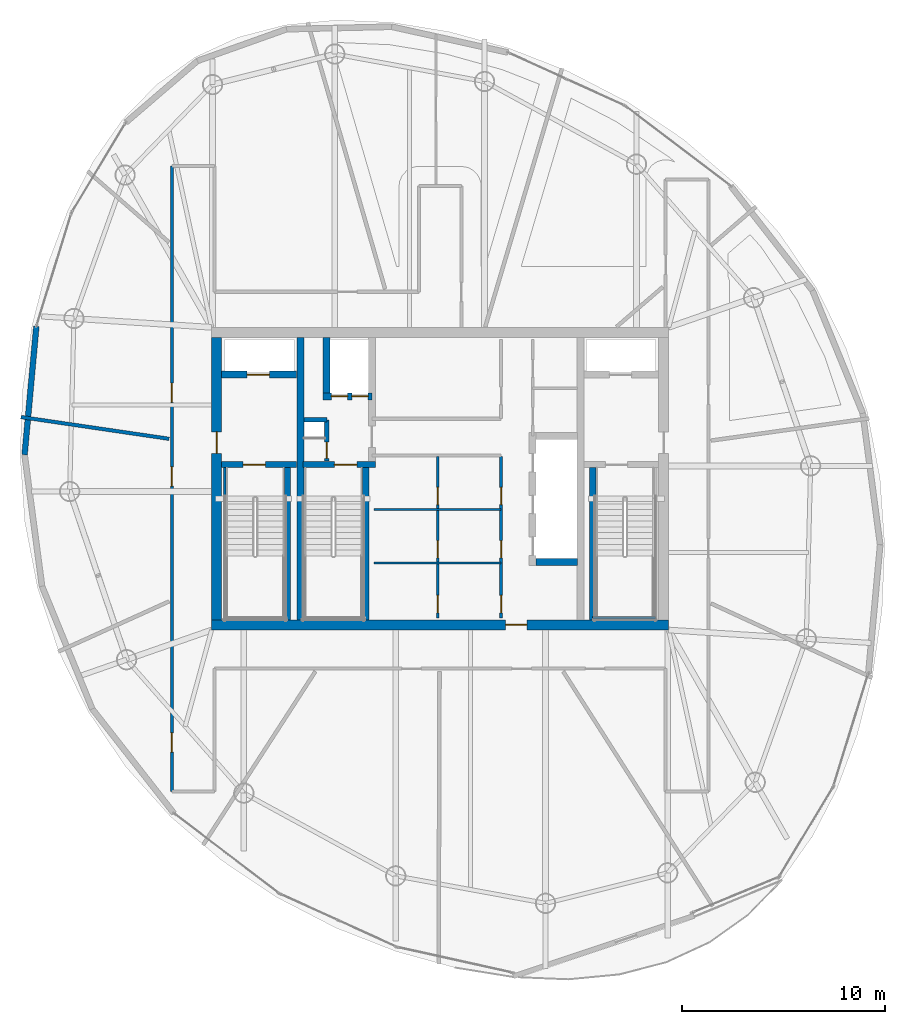
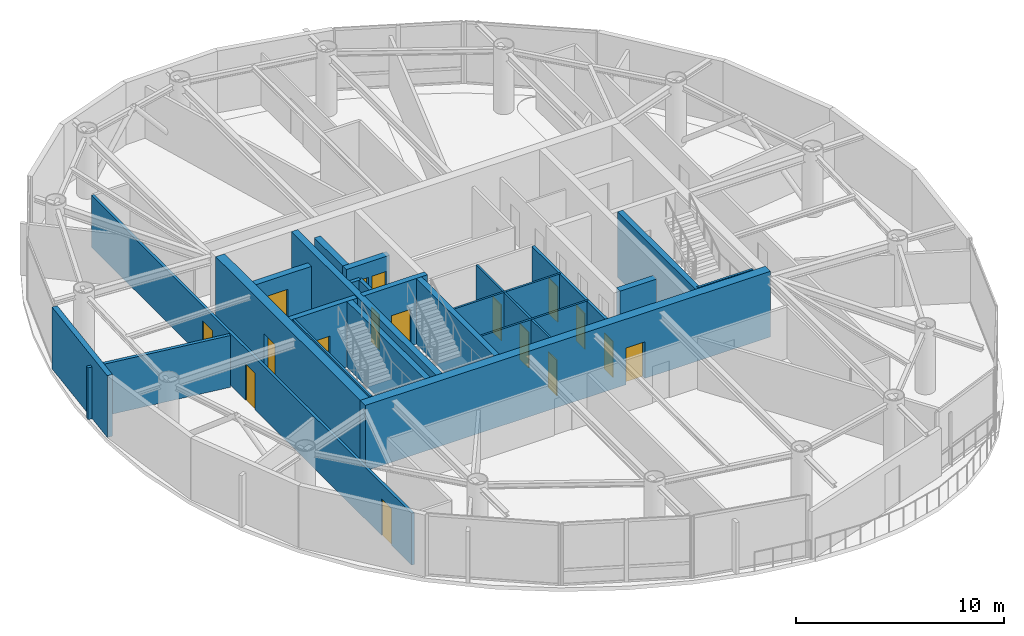
# One storey, part 14 of 19: 23 walls, 17 doors, 17 openings.
"""IFC4 building model written with IfcOpenShell, lengths in metres."""

import ifcopenshell
import ifcopenshell.guid

model = None  # the IFC model being written
_history = None  # IfcOwnerHistory: only IFC2X3 demands one
_inside = {}  # id of a spatial element -> (the spatial element, [elements in it])
_under = {}  # id of a project, library or spatial element -> (it, [spatial elements below it])
_declared = {}  # id of a project -> (the project, [libraries it declares])
_typed = {}  # id of a type object -> (the type object, [elements of that type])
_made_of = {}  # id of a material, layer set ... -> (it, [elements and type objects made of it])


def new_model(schema):
    """Start an empty IFC model of exactly this schema.

    Asked for "IFC4X3", IfcOpenShell would pick the latest addendum, in which some entities
    have other attributes; the version numbers below select the first issue.
    IFC2X3 requires an IfcOwnerHistory on every rooted entity: one is made here for all.
    """
    global model, _history
    if schema == "IFC4X3":
        model = ifcopenshell.file(schema_version=(4, 3, 0, 0))
    else:
        model = ifcopenshell.file(schema=schema)
    _inside.clear()
    _under.clear()
    _declared.clear()
    _typed.clear()
    _made_of.clear()
    _history = None
    if model.schema == "IFC2X3":
        org = make("IfcOrganization", Name="unknown")
        user = make(
            "IfcPersonAndOrganization",
            ThePerson=make("IfcPerson", FamilyName="unknown"),
            TheOrganization=org,
        )
        app = make(
            "IfcApplication",
            ApplicationDeveloper=org,
            Version="unknown",
            ApplicationFullName="unknown",
            ApplicationIdentifier="unknown",
        )
        _history = make(
            "IfcOwnerHistory",
            OwningUser=user,
            OwningApplication=app,
            ChangeAction="ADDED",
            CreationDate=0,
        )
    return model


def make(cls, **values):
    """One entity of the class cls with the attributes given. An attribute that is None is left unset."""
    return model.create_entity(
        cls, **{name: value for name, value in values.items() if value is not None}
    )


def rooted(cls, **values):
    """An entity with a GlobalId (a new one), such as an element, a storey or a relation."""
    return make(cls, GlobalId=ifcopenshell.guid.new(), OwnerHistory=_history, **values)


def si_unit(unit_type, name, prefix=None):
    """IfcSIUnit, for example si_unit("LENGTHUNIT", "METRE", prefix="MILLI")."""
    return make("IfcSIUnit", UnitType=unit_type, Prefix=prefix, Name=name)


def assignment(units):
    """IfcUnitAssignment: the units of a project."""
    return None if units is None else make("IfcUnitAssignment", Units=units)


def point(xyz):
    """IfcCartesianPoint."""
    return None if xyz is None else make("IfcCartesianPoint", Coordinates=xyz)


def direction(xyz):
    """IfcDirection."""
    return None if xyz is None else make("IfcDirection", DirectionRatios=xyz)


def frame(location, z_axis=None, x_axis=None):
    """IfcAxis2Placement3D, a coordinate frame: its origin and axes. An axis left out is left unset."""
    return make(
        "IfcAxis2Placement3D",
        Location=point(location),
        Axis=direction(z_axis),
        RefDirection=direction(x_axis),
    )


def frame_2d(location, x_axis=None):
    """IfcAxis2Placement2D, a coordinate frame in the plane: its origin and x axis."""
    return make(
        "IfcAxis2Placement2D", Location=point(location), RefDirection=direction(x_axis)
    )


def origin():
    """The frame at (0, 0, 0) with its axes left unset."""
    return frame((0.0, 0.0, 0.0))


def place(relative_to, where):
    """IfcLocalPlacement: puts the frame where relative to a parent placement (None: the world)."""
    return make(
        "IfcLocalPlacement", PlacementRelTo=relative_to, RelativePlacement=where
    )


def context(
    kind, dimensions, precision=None, world=None, true_north=None, identifier=None
):
    """IfcGeometricRepresentationContext, for example the 3D "Model" context."""
    return make(
        "IfcGeometricRepresentationContext",
        ContextIdentifier=identifier,
        ContextType=kind,
        CoordinateSpaceDimension=dimensions,
        Precision=precision,
        WorldCoordinateSystem=world,
        TrueNorth=true_north,
    )


def subcontext(parent, identifier, kind, view, scale=None):
    """IfcGeometricRepresentationSubContext, for example "Body" below "Model"."""
    return make(
        "IfcGeometricRepresentationSubContext",
        ContextIdentifier=identifier,
        ContextType=kind,
        ParentContext=parent,
        TargetScale=scale,
        TargetView=view,
    )


def project(units=None, contexts=None):
    """IfcProject with its units and contexts."""
    return rooted(
        "IfcProject",
        Name="project",
        RepresentationContexts=contexts,
        UnitsInContext=assignment(units),
    )


def spatial(cls, under=None, at=None, **own):
    """A site, building, storey or space (cls), placed at a placement, below another one or the project."""
    s = rooted(cls, ObjectPlacement=at, **own)
    if under is not None:
        _under.setdefault(under.id(), (under, []))[1].append(s)
    return s


def profile(cls, at=None, kind="AREA", **sizes):
    """A parametric profile (cls). Its sizes go by their IFC names, for example OverallWidth=200.0."""
    return make(cls, ProfileType=kind, Position=at, **sizes)


def rectangle(**sizes):
    """IfcRectangleProfileDef."""
    return profile("IfcRectangleProfileDef", **sizes)


def extrude(swept, where, along, depth):
    """IfcExtrudedAreaSolid: the profile swept, set in the frame where, extruded along a direction by depth."""
    return make(
        "IfcExtrudedAreaSolid",
        SweptArea=swept,
        Position=where,
        ExtrudedDirection=direction(along),
        Depth=depth,
    )


def shape(context_of_items, identifier, shape_type, items):
    """IfcShapeRepresentation: the items that make up one representation, for example the "Body"."""
    return make(
        "IfcShapeRepresentation",
        ContextOfItems=context_of_items,
        RepresentationIdentifier=identifier,
        RepresentationType=shape_type,
        Items=items,
    )


def material(Name=None, Category=None):
    """IfcMaterial."""
    return make("IfcMaterial", Name=Name, Category=Category)


def layer(
    of_material, thickness, ventilated=None, Name=None, Category=None, Priority=None
):
    """IfcMaterialLayer: one layer of a wall or slab, of a material (None: an air gap)."""
    return make(
        "IfcMaterialLayer",
        Material=of_material,
        LayerThickness=thickness,
        IsVentilated=ventilated,
        Name=Name,
        Category=Category,
        Priority=Priority,
    )


def layer_set(layers, Name=None):
    """IfcMaterialLayerSet."""
    return make("IfcMaterialLayerSet", MaterialLayers=layers, LayerSetName=Name)


def made_of(thing, what):
    """Note that an element or type object is made of a material, layer set ...; save() writes the relation."""
    if what is not None:
        _made_of.setdefault(what.id(), (what, []))[1].append(thing)
    return thing


def type_object(cls, material=None, **own):
    """A type object (cls), such as IfcWallType, which elements share."""
    return made_of(rooted(cls, **own), material)


def element(
    cls,
    number,
    at=None,
    inside=None,
    cuts=None,
    type_object=None,
    material=None,
    context=None,
    identifier="Body",
    shape_type=None,
    held_by="IfcProductDefinitionShape",
    body=None,
    shapes=None,
    **own,
):
    """One element of the class cls, such as IfcWall. Its Tag is "e" and its number.

    at: its placement. inside: the storey or other place that contains it. cuts: it is an
    opening in that element (IfcRelVoidsElement). A single representation is given by context,
    identifier, shape_type and body (its items); several are given by shapes. held_by: the class
    of the entity that holds the representations. save() writes the other relations.
    """
    e = rooted(cls, Tag="e%d" % number, ObjectPlacement=at, **own)
    if body is not None:
        shapes = [shape(context, identifier, shape_type, body)]
    if shapes is not None:
        e.Representation = make(held_by, Representations=shapes)
    if inside is not None:
        _inside.setdefault(inside.id(), (inside, []))[1].append(e)
    if cuts is not None:
        rooted(
            "IfcRelVoidsElement", RelatingBuildingElement=cuts, RelatedOpeningElement=e
        )
    if type_object is not None:
        _typed.setdefault(type_object.id(), (type_object, []))[1].append(e)
    return made_of(e, material)


def fill(opening, filler):
    """IfcRelFillsElement: the door or window that sits in an opening."""
    return rooted(
        "IfcRelFillsElement",
        RelatingOpeningElement=opening,
        RelatedBuildingElement=filler,
    )


def aggregate(whole, parts):
    """IfcRelAggregates: a whole, such as a stair, and the parts it consists of."""
    return rooted("IfcRelAggregates", RelatingObject=whole, RelatedObjects=parts)


def save(model, path):
    """Write the relations noted so far, then the file.

    IfcRelAggregates (storeys below a building ...), IfcRelContainedInSpatialStructure (elements
    in a storey), IfcRelDefinesByType, IfcRelAssociatesMaterial and IfcRelDeclares: one each for
    every whole, place, type object, material and project.
    """
    for whole, parts in _under.values():
        aggregate(whole, parts)
    for where, things in _inside.values():
        rooted(
            "IfcRelContainedInSpatialStructure",
            RelatedElements=things,
            RelatingStructure=where,
        )
    for kind, things in _typed.values():
        rooted("IfcRelDefinesByType", RelatedObjects=things, RelatingType=kind)
    for what, things in _made_of.values():
        rooted("IfcRelAssociatesMaterial", RelatedObjects=things, RelatingMaterial=what)
    for by, libraries in _declared.values():
        rooted("IfcRelDeclares", RelatingContext=by, RelatedDefinitions=libraries)
    model.write(path)


model = new_model("IFC4")

# Units and contexts
model_context = context("Model", 3, precision=1e-05, world=origin(), true_north=direction((0.0, 1.0)))
body_context = subcontext(model_context, "Body", "Model", "MODEL_VIEW")
ifc_project = project(units=[si_unit("LENGTHUNIT", "METRE"), si_unit("AREAUNIT", "SQUARE_METRE"), si_unit("VOLUMEUNIT", "CUBIC_METRE"), si_unit("PLANEANGLEUNIT", "RADIAN"), si_unit("MASSUNIT", "GRAM", prefix="KILO")], contexts=[model_context])

# Site, building, storey
site_placement = place(None, origin())
site = spatial("IfcSite", under=ifc_project, at=site_placement, CompositionType="ELEMENT")
building_placement = place(site_placement, origin())
building = spatial("IfcBuilding", under=site, at=building_placement, Name="Bramvorn Convention Spire", CompositionType="ELEMENT")
storey_placement = place(building_placement, frame((0.0, 0.0, 272.85009765625)))
storey = spatial("IfcBuildingStorey", under=building, at=storey_placement, Name="L69", CompositionType="ELEMENT", Elevation=272.85009765625)

# Wall, opening, door
ifc_material_1 = material(Name="Concrete C50/60", Category="concrete")
ifc_layer_1 = layer(ifc_material_1, 0.5)
ifc_layer_set_1 = layer_set([ifc_layer_1], Name="Concrete C50/60 - WL-CORE-500")
wall_type_1 = type_object("IfcWallType", Name="WL-CORE-500", PredefinedType="SHEAR", material=ifc_layer_set_1)
wall_1_placement = place(storey_placement, frame((26.75, 18.800048828125, 0.0), z_axis=(0.0, 0.0, 1.0), x_axis=(1.0, 0.0, 0.0)))
wall_1 = element("IfcWall", 1, at=wall_1_placement, inside=storey, type_object=wall_type_1, Name="L69 South RC core shear wall", PredefinedType="SHEAR", context=body_context, shape_type="SweptSolid", body=[
    extrude(rectangle(XDim=22.5, YDim=0.5, at=frame_2d((11.25, 0.0))), origin(), (0.0, 0.0, 1.0), 3.849853515625),
])
opening_1_placement = place(wall_1_placement, frame((14.469970703125, 0.0, 0.0)))
opening_1 = element("IfcOpeningElement", 2, at=opening_1_placement, cuts=wall_1, Name="Opening DL-105", PredefinedType="OPENING", context=body_context, shape_type="SweptSolid", body=[
    extrude(rectangle(XDim=1.050048828125, YDim=2.14990234375, at=frame_2d((0.52490234375, 1.074951171875))), frame((0.0, 0.260009765625, 0.0), z_axis=(0.0, -1.0, 0.0), x_axis=(1.0, 0.0, 0.0)), (0.0, 0.0, 1.0), 0.52001953125),
])
ifc_material_2 = material(Name="Smoke-Sealed Fire Lobby Timber-Core Door", Category="wood")
door_type_1 = type_object("IfcDoorType", Name="DR-LOBBY-1050", OperationType="NOTDEFINED", PredefinedType="DOOR", material=ifc_material_2)
door_1_placement = place(opening_1_placement, origin())
door_1 = element("IfcDoor", 3, at=door_1_placement, inside=storey, type_object=door_type_1, Name="L69 South Lift Lobby fire door", OperationType="SINGLE_SWING_RIGHT", OverallHeight=2.14990234375, OverallWidth=1.050048828125, PredefinedType="DOOR", context=body_context, shape_type="SweptSolid", body=[
    extrude(rectangle(XDim=1.050048828125, YDim=2.14990234375, at=frame_2d((0.52490234375, 1.074951171875))), frame((0.0, 0.02490234375, 0.0), z_axis=(0.0, -1.0, 0.0), x_axis=(1.0, 0.0, 0.0)), (0.0, 0.0, 1.0), 0.050048828125),
])
fill(opening_1, door_1)

wall_2_placement = place(storey_placement, frame((27.0, 19.050048828125, 0.0), z_axis=(0.0, 0.0, 1.0), x_axis=(0.0, 1.0, 0.0)))
wall_2 = element("IfcWall", 4, at=wall_2_placement, inside=storey, type_object=wall_type_1, Name="L69 West RC core shear wall", PredefinedType="SHEAR", context=body_context, shape_type="SweptSolid", body=[
    extrude(rectangle(XDim=13.89990234375, YDim=0.5, at=frame_2d((6.949951171875, 0.0))), origin(), (0.0, 0.0, 1.0), 3.849853515625),
])
opening_2_placement = place(wall_2_placement, frame((8.199951171875, 0.0, 0.0)))
opening_2 = element("IfcOpeningElement", 5, at=opening_2_placement, cuts=wall_2, Name="Opening DL-105", PredefinedType="OPENING", context=body_context, shape_type="SweptSolid", body=[
    extrude(rectangle(XDim=1.050048828125, YDim=2.14990234375, at=frame_2d((0.52490234375, 1.074951171875))), frame((0.0, 0.260009765625, 0.0), z_axis=(0.0, -1.0, 0.0), x_axis=(1.0, 0.0, 0.0)), (0.0, 0.0, 1.0), 0.52001953125),
])
door_2_placement = place(opening_2_placement, origin())
door_2 = element("IfcDoor", 6, at=door_2_placement, inside=storey, type_object=door_type_1, Name="L69 West Firefighting Lobby corridor door", OperationType="SINGLE_SWING_RIGHT", OverallHeight=2.14990234375, OverallWidth=1.050048828125, PredefinedType="DOOR", context=body_context, shape_type="SweptSolid", body=[
    extrude(rectangle(XDim=1.050048828125, YDim=2.14990234375, at=frame_2d((0.52490234375, 1.074951171875))), frame((0.0, 0.02490234375, 0.0), z_axis=(0.0, -1.0, 0.0), x_axis=(1.0, 0.0, 0.0)), (0.0, 0.0, 1.0), 0.050048828125),
])
fill(opening_2, door_2)

# Wall
ifc_layer_2 = layer(ifc_material_1, 0.35009765625)
ifc_layer_set_2 = layer_set([ifc_layer_2], Name="Concrete C50/60 - WL-CORE-INT-350")
wall_type_2 = type_object("IfcWallType", Name="WL-CORE-INT-350", PredefinedType="SHEAR", material=ifc_layer_set_2)
wall_3_placement = place(storey_placement, frame((31.1298828125, 19.050048828125, 0.0), z_axis=(0.0, 0.0, 1.0), x_axis=(0.0, 1.0, 0.0)))
element("IfcWall", 7, at=wall_3_placement, inside=storey, type_object=wall_type_2, Name="L69 West internal core shear web", PredefinedType="SHEAR", context=body_context, shape_type="SweptSolid", body=[
    extrude(rectangle(XDim=13.89990234375, YDim=0.35009765625, at=frame_2d((6.949951171875, 0.0))), origin(), (0.0, 0.0, 1.0), 3.849853515625),
])

# Wall, opening, door
wall_4_placement = place(storey_placement, frame((27.25, 31.1201171875, 0.0), z_axis=(0.0, 0.0, 1.0), x_axis=(1.0, 0.0, 0.0)))
wall_4 = element("IfcWall", 8, at=wall_4_placement, inside=storey, type_object=wall_type_2, Name="L69 FE1 shaft front wall", PredefinedType="SHEAR", context=body_context, shape_type="SweptSolid", body=[
    extrude(rectangle(XDim=3.669921875, YDim=0.35009765625, at=frame_2d((1.8349609375, 0.0))), origin(), (0.0, 0.0, 1.0), 3.039794921875),
])
opening_3_placement = place(wall_4_placement, frame((1.25, 0.0, 0.0)))
opening_3 = element("IfcOpeningElement", 9, at=opening_3_placement, cuts=wall_4, Name="Opening LD-110", PredefinedType="OPENING", context=body_context, shape_type="SweptSolid", body=[
    extrude(rectangle(XDim=1.10009765625, YDim=2.14990234375, at=frame_2d((0.550048828125, 1.074951171875))), frame((0.0, 0.18505859375, 0.0), z_axis=(0.0, -1.0, 0.0), x_axis=(1.0, 0.0, 0.0)), (0.0, 0.0, 1.0), 0.3701171875),
])
ifc_material_3 = material(Name="Firefighting & Service Lift Sliding Landing Door", Category="steel")
door_type_2 = type_object("IfcDoorType", Name="DR-LIFT-LD-1100", OperationType="NOTDEFINED", PredefinedType="DOOR", material=ifc_material_3)
door_3_placement = place(opening_3_placement, origin())
door_3 = element("IfcDoor", 10, at=door_3_placement, inside=storey, type_object=door_type_2, Name="L69 Lift FE1 Sliding Landing Door", OperationType="SLIDING_TO_LEFT", OverallHeight=2.14990234375, OverallWidth=1.10009765625, PredefinedType="DOOR", context=body_context, shape_type="SweptSolid", body=[
    extrude(rectangle(XDim=1.10009765625, YDim=2.14990234375, at=frame_2d((0.550048828125, 1.074951171875))), frame((0.0, 0.02490234375, 0.0), z_axis=(0.0, -1.0, 0.0), x_axis=(1.0, 0.0, 0.0)), (0.0, 0.0, 1.0), 0.050048828125),
])
fill(opening_3, door_3)

# Wall, openings, doors
wall_5_placement = place(storey_placement, frame((32.22998046875, 30.050048828125, 0.0), z_axis=(0.0, 0.0, 1.0), x_axis=(1.0, 0.0, 0.0)))
wall_5 = element("IfcWall", 11, at=wall_5_placement, inside=storey, type_object=wall_type_2, Name="L69 SV1/SV2 shaft front wall", PredefinedType="SHEAR", context=body_context, shape_type="SweptSolid", body=[
    extrude(rectangle(XDim=2.409912109375, YDim=0.35009765625, at=frame_2d((1.205078125, 0.0))), origin(), (0.0, 0.0, 1.0), 3.039794921875),
])
opening_4_placement = place(wall_5_placement, frame((0.419921875, 0.0, 0.0)))
opening_4 = element("IfcOpeningElement", 12, at=opening_4_placement, cuts=wall_5, Name="Opening LD-080", PredefinedType="OPENING", context=body_context, shape_type="SweptSolid", body=[
    extrude(rectangle(XDim=0.800048828125, YDim=2.14990234375, at=frame_2d((0.39990234375, 1.074951171875))), frame((0.0, 0.18505859375, 0.0), z_axis=(0.0, -1.0, 0.0), x_axis=(1.0, 0.0, 0.0)), (0.0, 0.0, 1.0), 0.3701171875),
])
opening_5_placement = place(wall_5_placement, frame((1.419921875, 0.0, 0.0)))
opening_5 = element("IfcOpeningElement", 13, at=opening_5_placement, cuts=wall_5, Name="Opening LD-080", PredefinedType="OPENING", context=body_context, shape_type="SweptSolid", body=[
    extrude(rectangle(XDim=0.800048828125, YDim=2.14990234375, at=frame_2d((0.39990234375, 1.074951171875))), frame((0.0, 0.18505859375, 0.0), z_axis=(0.0, -1.0, 0.0), x_axis=(1.0, 0.0, 0.0)), (0.0, 0.0, 1.0), 0.3701171875),
])
ifc_material_4 = material(Name="Service Lift Bi-Parting Landing Door", Category="steel")
door_type_3 = type_object("IfcDoorType", Name="DR-LIFT-LD-800", OperationType="NOTDEFINED", PredefinedType="DOOR", material=ifc_material_4)
door_4_placement = place(opening_4_placement, origin())
door_4 = element("IfcDoor", 14, at=door_4_placement, inside=storey, type_object=door_type_3, Name="L69 Lift SV1 Sliding Landing Door", OperationType="SLIDING_TO_LEFT", OverallHeight=2.14990234375, OverallWidth=0.800048828125, PredefinedType="DOOR", context=body_context, shape_type="SweptSolid", body=[
    extrude(rectangle(XDim=0.800048828125, YDim=2.14990234375, at=frame_2d((0.39990234375, 1.074951171875))), frame((0.0, 0.02490234375, 0.0), z_axis=(0.0, -1.0, 0.0), x_axis=(1.0, 0.0, 0.0)), (0.0, 0.0, 1.0), 0.050048828125),
])
fill(opening_4, door_4)
door_5_placement = place(opening_5_placement, origin())
door_5 = element("IfcDoor", 15, at=door_5_placement, inside=storey, type_object=door_type_3, Name="L69 Lift SV2 Sliding Landing Door", OperationType="SLIDING_TO_LEFT", OverallHeight=2.14990234375, OverallWidth=0.800048828125, PredefinedType="DOOR", context=body_context, shape_type="SweptSolid", body=[
    extrude(rectangle(XDim=0.800048828125, YDim=2.14990234375, at=frame_2d((0.39990234375, 1.074951171875))), frame((0.0, 0.02490234375, 0.0), z_axis=(0.0, -1.0, 0.0), x_axis=(1.0, 0.0, 0.0)), (0.0, 0.0, 1.0), 0.050048828125),
])
fill(opening_5, door_5)

# Walls
wall_6_placement = place(storey_placement, frame((32.39990234375, 30.219970703125, 0.0), z_axis=(0.0, 0.0, 1.0), x_axis=(0.0, 1.0, 0.0)))
element("IfcWall", 16, at=wall_6_placement, inside=storey, type_object=wall_type_2, Name="L69 SV1 west hoistway wall", PredefinedType="SHEAR", context=body_context, shape_type="SweptSolid", body=[
    extrude(rectangle(XDim=2.72998046875, YDim=0.35009765625, at=frame_2d((1.364990234375, 0.0))), origin(), (0.0, 0.0, 1.0), 3.039794921875),
])
wall_7_placement = place(storey_placement, frame((42.719970703125, 21.89990234375, 0.0), z_axis=(0.0, 0.0, 1.0), x_axis=(1.0, 0.0, 0.0)))
element("IfcWall", 17, at=wall_7_placement, inside=storey, type_object=wall_type_2, Name="L69 High-rise lift bank south wall", PredefinedType="SHEAR", context=body_context, shape_type="SweptSolid", body=[
    extrude(rectangle(XDim=2.030029296875, YDim=0.35009765625, at=frame_2d((1.01513671875, 0.0))), origin(), (0.0, 0.0, 1.0), 3.039794921875),
])
ifc_material_5 = material(Name="Precast Concrete C40/50 with Bronze Terracotta Rainscreen", Category="masonry")
ifc_layer_3 = layer(ifc_material_5, 0.300048828125)
ifc_layer_set_3 = layer_set([ifc_layer_3], Name="Precast Concrete C40/50 with Bronze Terracotta Rainscreen - WL-EXT-BRONZE-300")
wall_type_3 = type_object("IfcWallType", Name="WL-EXT-BRONZE-300", PredefinedType="SOLIDWALL", material=ifc_layer_set_3)
wall_8_placement = place(storey_placement, frame((17.54736328125, 27.176513671875, 0.0), z_axis=(0.0, 0.0, 1.0), x_axis=(0.091149768789, 0.995837195354, 0.0)))
element("IfcWall", 18, at=wall_8_placement, inside=storey, type_object=wall_type_3, Name="L69 expressed bronze Gothic lancet pier wall 16", PredefinedType="SOLIDWALL", context=body_context, shape_type="SweptSolid", body=[
    extrude(rectangle(XDim=6.34521484375, YDim=0.280029296875, at=frame_2d((3.172607421875, 0.0))), origin(), (0.0, 0.0, 1.0), 3.625),
])

# Wall, openings, doors
ifc_material_6 = material(Name="Lightweight En-Suite & Wet-Wall Partition", Category="gypsum")
ifc_layer_4 = layer(ifc_material_6, 0.110107421875)
ifc_layer_set_4 = layer_set([ifc_layer_4], Name="Lightweight En-Suite & Wet-Wall Partition - WL-PART-110")
wall_type_4 = type_object("IfcWallType", Name="WL-PART-110", PredefinedType="PARTITIONING", material=ifc_layer_set_4)
wall_9_placement = place(storey_placement, frame((37.8798828125, 19.14990234375, 0.0), z_axis=(0.0, 0.0, 1.0), x_axis=(0.0, 1.0, 0.0)))
wall_9 = element("IfcWall", 19, at=wall_9_placement, inside=storey, type_object=wall_type_4, Name="L69 KB center wall", PredefinedType="PARTITIONING", context=body_context, shape_type="SweptSolid", body=[
    extrude(rectangle(XDim=7.9501953125, YDim=0.110107421875, at=frame_2d((3.97509765625, 0.0))), origin(), (0.0, 0.0, 1.0), 3.039794921875),
])
opening_6_placement = place(wall_9_placement, frame((0.25, 0.0, 0.0)))
opening_6 = element("IfcOpeningElement", 20, at=opening_6_placement, cuts=wall_9, Name="Opening DC-085", PredefinedType="OPENING", context=body_context, shape_type="SweptSolid", body=[
    extrude(rectangle(XDim=0.85009765625, YDim=2.10009765625, at=frame_2d((0.425048828125, 1.050048828125))), frame((0.0, 0.06494140625, 0.0), z_axis=(0.0, -1.0, 0.0), x_axis=(1.0, 0.0, 0.0)), (0.0, 0.0, 1.0), 0.130126953125),
])
opening_7_placement = place(wall_9_placement, frame((2.952880859375, 0.0, 0.0)))
opening_7 = element("IfcOpeningElement", 21, at=opening_7_placement, cuts=wall_9, Name="Opening DC-085", PredefinedType="OPENING", context=body_context, shape_type="SweptSolid", body=[
    extrude(rectangle(XDim=0.85009765625, YDim=2.10009765625, at=frame_2d((0.425048828125, 1.050048828125))), frame((0.0, 0.06494140625, 0.0), z_axis=(0.0, -1.0, 0.0), x_axis=(1.0, 0.0, 0.0)), (0.0, 0.0, 1.0), 0.130126953125),
])
opening_8_placement = place(wall_9_placement, frame((5.576416015625, 0.0, 0.0)))
opening_8 = element("IfcOpeningElement", 22, at=opening_8_placement, cuts=wall_9, Name="Opening DC-085", PredefinedType="OPENING", context=body_context, shape_type="SweptSolid", body=[
    extrude(rectangle(XDim=0.85009765625, YDim=2.10009765625, at=frame_2d((0.425048828125, 1.050048828125))), frame((0.0, 0.06494140625, 0.0), z_axis=(0.0, -1.0, 0.0), x_axis=(1.0, 0.0, 0.0)), (0.0, 0.0, 1.0), 0.130126953125),
])
ifc_material_7 = material(Name="Fire-Rated Core Washroom & IDF Door", Category="wood")
door_type_4 = type_object("IfcDoorType", Name="DR-CORE-850", OperationType="NOTDEFINED", PredefinedType="DOOR", material=ifc_material_7)
door_6_placement = place(opening_6_placement, origin())
door_6 = element("IfcDoor", 23, at=door_6_placement, inside=storey, type_object=door_type_4, Name="L69 Core Linen Store door", OperationType="SINGLE_SWING_LEFT", OverallHeight=2.10009765625, OverallWidth=0.85009765625, PredefinedType="DOOR", context=body_context, shape_type="SweptSolid", body=[
    extrude(rectangle(XDim=0.85009765625, YDim=2.10009765625, at=frame_2d((0.425048828125, 1.050048828125))), frame((0.0, 0.02490234375, 0.0), z_axis=(0.0, -1.0, 0.0), x_axis=(1.0, 0.0, 0.0)), (0.0, 0.0, 1.0), 0.050048828125),
])
fill(opening_6, door_6)
door_7_placement = place(opening_7_placement, origin())
door_7 = element("IfcDoor", 24, at=door_7_placement, inside=storey, type_object=door_type_4, Name="L69 Core Metering Closet door", OperationType="SINGLE_SWING_LEFT", OverallHeight=2.10009765625, OverallWidth=0.85009765625, PredefinedType="DOOR", context=body_context, shape_type="SweptSolid", body=[
    extrude(rectangle(XDim=0.85009765625, YDim=2.10009765625, at=frame_2d((0.425048828125, 1.050048828125))), frame((0.0, 0.02490234375, 0.0), z_axis=(0.0, -1.0, 0.0), x_axis=(1.0, 0.0, 0.0)), (0.0, 0.0, 1.0), 0.050048828125),
])
fill(opening_7, door_7)
door_8_placement = place(opening_8_placement, origin())
door_8 = element("IfcDoor", 25, at=door_8_placement, inside=storey, type_object=door_type_4, Name="L69 Core Janitor Supply door", OperationType="SINGLE_SWING_LEFT", OverallHeight=2.10009765625, OverallWidth=0.85009765625, PredefinedType="DOOR", context=body_context, shape_type="SweptSolid", body=[
    extrude(rectangle(XDim=0.85009765625, YDim=2.10009765625, at=frame_2d((0.425048828125, 1.050048828125))), frame((0.0, 0.02490234375, 0.0), z_axis=(0.0, -1.0, 0.0), x_axis=(1.0, 0.0, 0.0)), (0.0, 0.0, 1.0), 0.050048828125),
])
fill(opening_8, door_8)

# Walls
for number, where, z_axis, x_axis, name in (
    (26, (34.75, 21.85302734375, 0.0), (0.0, 0.0, 1.0), (1.0, 0.0, 0.0), "L69 KB divider 1"),
    (27, (34.75, 24.4765625, 0.0), (0.0, 0.0, 1.0), (1.0, 0.0, 0.0), "L69 KB divider 2"),
):
    element("IfcWall", number, at=place(storey_placement, frame(where, z_axis=z_axis, x_axis=x_axis)), inside=storey, type_object=wall_type_4, Name=name, PredefinedType="PARTITIONING", context=body_context, shape_type="SweptSolid", body=[
        extrude(rectangle(XDim=6.25, YDim=0.110107421875, at=frame_2d((3.125, 0.0))), origin(), (0.0, 0.0, 1.0), 3.039794921875),
    ])

# Wall, openings, doors
ifc_material_8 = material(Name="Acoustic Metal-Stud Tenant/Corridor Partition", Category="gypsum")
ifc_layer_5 = layer(ifc_material_8, 0.14990234375)
ifc_layer_set_5 = layer_set([ifc_layer_5], Name="Acoustic Metal-Stud Tenant/Corridor Partition - WL-PART-150")
wall_type_5 = type_object("IfcWallType", Name="WL-PART-150", PredefinedType="PARTITIONING", material=ifc_layer_set_5)
wall_10_placement = place(storey_placement, frame((41.0, 19.14990234375, 0.0), z_axis=(0.0, 0.0, 1.0), x_axis=(0.0, 1.0, 0.0)))
wall_10 = element("IfcWall", 28, at=wall_10_placement, inside=storey, type_object=wall_type_5, Name="L69 KB east core wall", PredefinedType="PARTITIONING", context=body_context, shape_type="SweptSolid", body=[
    extrude(rectangle(XDim=7.9501953125, YDim=0.14990234375, at=frame_2d((3.97509765625, 0.0))), origin(), (0.0, 0.0, 1.0), 3.039794921875),
])
opening_9_placement = place(wall_10_placement, frame((0.25, 0.0, 0.0)))
opening_9 = element("IfcOpeningElement", 29, at=opening_9_placement, cuts=wall_10, Name="Opening DC-085", PredefinedType="OPENING", context=body_context, shape_type="SweptSolid", body=[
    extrude(rectangle(XDim=0.85009765625, YDim=2.10009765625, at=frame_2d((0.425048828125, 1.050048828125))), frame((0.0, 0.0849609375, 0.0), z_axis=(0.0, -1.0, 0.0), x_axis=(1.0, 0.0, 0.0)), (0.0, 0.0, 1.0), 0.169921875),
])
opening_10_placement = place(wall_10_placement, frame((2.952880859375, 0.0, 0.0)))
opening_10 = element("IfcOpeningElement", 30, at=opening_10_placement, cuts=wall_10, Name="Opening DC-085", PredefinedType="OPENING", context=body_context, shape_type="SweptSolid", body=[
    extrude(rectangle(XDim=0.85009765625, YDim=2.10009765625, at=frame_2d((0.425048828125, 1.050048828125))), frame((0.0, 0.0849609375, 0.0), z_axis=(0.0, -1.0, 0.0), x_axis=(1.0, 0.0, 0.0)), (0.0, 0.0, 1.0), 0.169921875),
])
opening_11_placement = place(wall_10_placement, frame((5.576416015625, 0.0, 0.0)))
opening_11 = element("IfcOpeningElement", 31, at=opening_11_placement, cuts=wall_10, Name="Opening DC-085", PredefinedType="OPENING", context=body_context, shape_type="SweptSolid", body=[
    extrude(rectangle(XDim=0.85009765625, YDim=2.10009765625, at=frame_2d((0.425048828125, 1.050048828125))), frame((0.0, 0.0849609375, 0.0), z_axis=(0.0, -1.0, 0.0), x_axis=(1.0, 0.0, 0.0)), (0.0, 0.0, 1.0), 0.169921875),
])
door_9_placement = place(opening_9_placement, origin())
door_9 = element("IfcDoor", 32, at=door_9_placement, inside=storey, type_object=door_type_4, Name="L69 Accessible Core Restroom door", OperationType="SINGLE_SWING_LEFT", OverallHeight=2.10009765625, OverallWidth=0.85009765625, PredefinedType="DOOR", context=body_context, shape_type="SweptSolid", body=[
    extrude(rectangle(XDim=0.85009765625, YDim=2.10009765625, at=frame_2d((0.425048828125, 1.050048828125))), frame((0.0, 0.02490234375, 0.0), z_axis=(0.0, -1.0, 0.0), x_axis=(1.0, 0.0, 0.0)), (0.0, 0.0, 1.0), 0.050048828125),
])
fill(opening_9, door_9)
door_10_placement = place(opening_10_placement, origin())
door_10 = element("IfcDoor", 33, at=door_10_placement, inside=storey, type_object=door_type_4, Name="L69 Tenant Pantry & Copy Centre door", OperationType="SINGLE_SWING_LEFT", OverallHeight=2.10009765625, OverallWidth=0.85009765625, PredefinedType="DOOR", context=body_context, shape_type="SweptSolid", body=[
    extrude(rectangle(XDim=0.85009765625, YDim=2.10009765625, at=frame_2d((0.425048828125, 1.050048828125))), frame((0.0, 0.02490234375, 0.0), z_axis=(0.0, -1.0, 0.0), x_axis=(1.0, 0.0, 0.0)), (0.0, 0.0, 1.0), 0.050048828125),
])
fill(opening_10, door_10)
door_11_placement = place(opening_11_placement, origin())
door_11 = element("IfcDoor", 34, at=door_11_placement, inside=storey, type_object=door_type_4, Name="L69 Gender-Neutral Core WC door", OperationType="SINGLE_SWING_LEFT", OverallHeight=2.10009765625, OverallWidth=0.85009765625, PredefinedType="DOOR", context=body_context, shape_type="SweptSolid", body=[
    extrude(rectangle(XDim=0.85009765625, YDim=2.10009765625, at=frame_2d((0.425048828125, 1.050048828125))), frame((0.0, 0.02490234375, 0.0), z_axis=(0.0, -1.0, 0.0), x_axis=(1.0, 0.0, 0.0)), (0.0, 0.0, 1.0), 0.050048828125),
])
fill(opening_11, door_11)

wall_11_placement = place(storey_placement, frame((24.800048828125, 10.60009765625, 0.0), z_axis=(0.0, 0.0, 1.0), x_axis=(0.0, 1.0, 0.0)))
wall_11 = element("IfcWall", 35, at=wall_11_placement, inside=storey, type_object=wall_type_5, Name="L69 West N-S gallery outer wall", PredefinedType="PARTITIONING", context=body_context, shape_type="SweptSolid", body=[
    extrude(rectangle(XDim=30.7998046875, YDim=0.14990234375, at=frame_2d((15.39990234375, 0.0))), origin(), (0.0, 0.0, 1.0), 3.039794921875),
])
opening_12_placement = place(wall_11_placement, frame((19.155517578125, 0.0, 0.0)))
opening_12 = element("IfcOpeningElement", 36, at=opening_12_placement, cuts=wall_11, Name="Opening DH-095", PredefinedType="OPENING", context=body_context, shape_type="SweptSolid", body=[
    extrude(rectangle(XDim=0.949951171875, YDim=2.14990234375, at=frame_2d((0.47509765625, 1.074951171875))), frame((0.0, 0.0849609375, 0.0), z_axis=(0.0, -1.0, 0.0), x_axis=(1.0, 0.0, 0.0)), (0.0, 0.0, 1.0), 0.169921875),
])
opening_13_placement = place(wall_11_placement, frame((15.03369140625, 0.0, 0.0)))
opening_13 = element("IfcOpeningElement", 37, at=opening_13_placement, cuts=wall_11, Name="Opening DH-095", PredefinedType="OPENING", context=body_context, shape_type="SweptSolid", body=[
    extrude(rectangle(XDim=0.949951171875, YDim=2.14990234375, at=frame_2d((0.47509765625, 1.074951171875))), frame((0.0, 0.0849609375, 0.0), z_axis=(0.0, -1.0, 0.0), x_axis=(1.0, 0.0, 0.0)), (0.0, 0.0, 1.0), 0.169921875),
])
opening_14_placement = place(wall_11_placement, frame((1.941162109375, 0.0, 0.0)))
opening_14 = element("IfcOpeningElement", 38, at=opening_14_placement, cuts=wall_11, Name="Opening DH-095", PredefinedType="OPENING", context=body_context, shape_type="SweptSolid", body=[
    extrude(rectangle(XDim=0.949951171875, YDim=2.14990234375, at=frame_2d((0.47509765625, 1.074951171875))), frame((0.0, 0.0849609375, 0.0), z_axis=(0.0, -1.0, 0.0), x_axis=(1.0, 0.0, 0.0)), (0.0, 0.0, 1.0), 0.169921875),
])
ifc_material_9 = material(Name="Solid-Core Acoustic Guestroom Entry Door", Category="wood")
door_type_5 = type_object("IfcDoorType", Name="DR-HOTEL-950", OperationType="NOTDEFINED", PredefinedType="DOOR", material=ifc_material_9)
door_12_placement = place(opening_12_placement, origin())
door_12 = element("IfcDoor", 39, at=door_12_placement, inside=storey, type_object=door_type_5, Name="L69 Partner Private Office 2 5 door", OperationType="SINGLE_SWING_RIGHT", OverallHeight=2.14990234375, OverallWidth=0.949951171875, PredefinedType="DOOR", context=body_context, shape_type="SweptSolid", body=[
    extrude(rectangle(XDim=0.949951171875, YDim=2.14990234375, at=frame_2d((0.47509765625, 1.074951171875))), frame((0.0, 0.02490234375, 0.0), z_axis=(0.0, -1.0, 0.0), x_axis=(1.0, 0.0, 0.0)), (0.0, 0.0, 1.0), 0.050048828125),
])
fill(opening_12, door_12)
door_13_placement = place(opening_13_placement, origin())
door_13 = element("IfcDoor", 40, at=door_13_placement, inside=storey, type_object=door_type_5, Name="L69 Partner Private Office 3 6 door", OperationType="SINGLE_SWING_LEFT", OverallHeight=2.14990234375, OverallWidth=0.949951171875, PredefinedType="DOOR", context=body_context, shape_type="SweptSolid", body=[
    extrude(rectangle(XDim=0.949951171875, YDim=2.14990234375, at=frame_2d((0.47509765625, 1.074951171875))), frame((0.0, 0.02490234375, 0.0), z_axis=(0.0, -1.0, 0.0), x_axis=(1.0, 0.0, 0.0)), (0.0, 0.0, 1.0), 0.050048828125),
])
fill(opening_13, door_13)
door_14_placement = place(opening_14_placement, origin())
door_14 = element("IfcDoor", 41, at=door_14_placement, inside=storey, type_object=door_type_5, Name="L69 Team Meeting Room 7 door", OperationType="SINGLE_SWING_RIGHT", OverallHeight=2.14990234375, OverallWidth=0.949951171875, PredefinedType="DOOR", context=body_context, shape_type="SweptSolid", body=[
    extrude(rectangle(XDim=0.949951171875, YDim=2.14990234375, at=frame_2d((0.47509765625, 1.074951171875))), frame((0.0, 0.02490234375, 0.0), z_axis=(0.0, -1.0, 0.0), x_axis=(1.0, 0.0, 0.0)), (0.0, 0.0, 1.0), 0.050048828125),
])
fill(opening_14, door_14)

# Wall
ifc_material_10 = material(Name="Double-Stud Acoustic Hotel/Suite Partition", Category="gypsum")
ifc_layer_6 = layer(ifc_material_10, 0.175048828125)
ifc_layer_set_6 = layer_set([ifc_layer_6], Name="Double-Stud Acoustic Hotel/Suite Partition - WL-PART-175")
wall_type_6 = type_object("IfcWallType", Name="WL-PART-175", PredefinedType="PARTITIONING", material=ifc_layer_set_6)
wall_12_placement = place(storey_placement, frame((24.659912109375, 27.961181640625, 0.0), z_axis=(0.0, 0.0, 1.0), x_axis=(-0.989360957967, 0.145481596263, 0.0)))
element("IfcWall", 42, at=wall_12_placement, inside=storey, type_object=wall_type_6, Name="L69 Tenant suite partition 6", PredefinedType="PARTITIONING", context=body_context, shape_type="SweptSolid", body=[
    extrude(rectangle(XDim=7.3720703125, YDim=0.175048828125, at=frame_2d((3.68603515625, 0.0))), origin(), (0.0, 0.0, 1.0), 3.039794921875),
])

# Wall, opening, door
ifc_material_11 = material(Name="Gypsum Shaftwall & Rockwool Core Partition", Category="gypsum")
ifc_layer_7 = layer(ifc_material_11, 0.199951171875)
ifc_layer_set_7 = layer_set([ifc_layer_7], Name="Gypsum Shaftwall & Rockwool Core Partition - WL-PART-200-FR")
wall_type_7 = type_object("IfcWallType", Name="WL-PART-200-FR", PredefinedType="PARTITIONING", material=ifc_layer_set_7)
wall_13_placement = place(storey_placement, frame((32.419921875, 26.860107421875, 0.0), z_axis=(0.0, 0.0, 1.0), x_axis=(0.0, 1.0, 0.0)))
wall_13 = element("IfcWall", 43, at=wall_13_placement, inside=storey, type_object=wall_type_7, Name="L69 Telecom riser east wall", PredefinedType="PARTITIONING", context=body_context, shape_type="SweptSolid", body=[
    extrude(rectangle(XDim=2.039794921875, YDim=0.199951171875, at=frame_2d((1.02001953125, 0.0))), origin(), (0.0, 0.0, 1.0), 3.039794921875),
])
opening_15_placement = place(wall_13_placement, frame((0.139892578125, 0.0, 0.0)))
opening_15 = element("IfcOpeningElement", 44, at=opening_15_placement, cuts=wall_13, Name="Opening DR-080", PredefinedType="OPENING", context=body_context, shape_type="SweptSolid", body=[
    extrude(rectangle(XDim=0.800048828125, YDim=2.050048828125, at=frame_2d((0.39990234375, 1.02490234375))), frame((0.0, 0.10986328125, 0.0), z_axis=(0.0, -1.0, 0.0), x_axis=(1.0, 0.0, 0.0)), (0.0, 0.0, 1.0), 0.219970703125),
])
ifc_material_12 = material(Name="Flush Steel Riser Access Door", Category="steel")
door_type_6 = type_object("IfcDoorType", Name="DR-RISER-800", OperationType="NOTDEFINED", PredefinedType="DOOR", material=ifc_material_12)
door_15_placement = place(opening_15_placement, origin())
door_15 = element("IfcDoor", 45, at=door_15_placement, inside=storey, type_object=door_type_6, Name="L69 Telecom riser access door", OperationType="SINGLE_SWING_RIGHT", OverallHeight=2.050048828125, OverallWidth=0.800048828125, PredefinedType="DOOR", context=body_context, shape_type="SweptSolid", body=[
    extrude(rectangle(XDim=0.800048828125, YDim=2.050048828125, at=frame_2d((0.39990234375, 1.02490234375))), frame((0.0, 0.02490234375, 0.0), z_axis=(0.0, -1.0, 0.0), x_axis=(1.0, 0.0, 0.0)), (0.0, 0.0, 1.0), 0.050048828125),
])
fill(opening_15, door_15)

# Wall
wall_14_placement = place(storey_placement, frame((31.300048828125, 28.89990234375, 0.0), z_axis=(0.0, 0.0, 1.0), x_axis=(1.0, 0.0, 0.0)))
element("IfcWall", 46, at=wall_14_placement, inside=storey, type_object=wall_type_7, Name="L69 Telecom riser north wall", PredefinedType="PARTITIONING", context=body_context, shape_type="SweptSolid", body=[
    extrude(rectangle(XDim=1.119873046875, YDim=0.199951171875, at=frame_2d((0.56005859375, 0.0))), origin(), (0.0, 0.0, 1.0), 3.039794921875),
])

# Wall, opening, door
ifc_layer_8 = layer(ifc_material_1, 0.300048828125)
ifc_layer_set_8 = layer_set([ifc_layer_8], Name="Concrete C50/60 - WL-POD-STAIR-300")
wall_type_8 = type_object("IfcWallType", Name="WL-POD-STAIR-300", PredefinedType="SHEAR", material=ifc_layer_set_8)
wall_15_placement = place(storey_placement, frame((27.25, 26.68994140625, 0.0), z_axis=(0.0, 0.0, 1.0), x_axis=(1.0, 0.0, 0.0)))
wall_15 = element("IfcWall", 47, at=wall_15_placement, inside=storey, type_object=wall_type_8, Name="L69 ST1 north fire wall", PredefinedType="SHEAR", context=body_context, shape_type="SweptSolid", body=[
    extrude(rectangle(XDim=3.669921875, YDim=0.300048828125, at=frame_2d((1.8349609375, 0.0))), origin(), (0.0, 0.0, 1.0), 3.849853515625),
])
opening_16_placement = place(wall_15_placement, frame((1.050048828125, 0.0, 0.0)))
opening_16 = element("IfcOpeningElement", 48, at=opening_16_placement, cuts=wall_15, Name="Opening DS-110", PredefinedType="OPENING", context=body_context, shape_type="SweptSolid", body=[
    extrude(rectangle(XDim=1.10009765625, YDim=2.14990234375, at=frame_2d((0.550048828125, 1.074951171875))), frame((0.0, 0.159912109375, 0.0), z_axis=(0.0, -1.0, 0.0), x_axis=(1.0, 0.0, 0.0)), (0.0, 0.0, 1.0), 0.320068359375),
])
ifc_material_13 = material(Name="Fire-Rated Hollow Steel Stairwell Door", Category="steel")
door_type_7 = type_object("IfcDoorType", Name="DR-STAIR-1100", OperationType="NOTDEFINED", PredefinedType="DOOR", material=ifc_material_13)
door_16_placement = place(opening_16_placement, origin())
door_16 = element("IfcDoor", 49, at=door_16_placement, inside=storey, type_object=door_type_7, Name="L69 Stair ST1 fire door", OperationType="SINGLE_SWING_LEFT", OverallHeight=2.14990234375, OverallWidth=1.10009765625, PredefinedType="DOOR", context=body_context, shape_type="SweptSolid", body=[
    extrude(rectangle(XDim=1.10009765625, YDim=2.14990234375, at=frame_2d((0.550048828125, 1.074951171875))), frame((0.0, 0.02490234375, 0.0), z_axis=(0.0, -1.0, 0.0), x_axis=(1.0, 0.0, 0.0)), (0.0, 0.0, 1.0), 0.050048828125),
])
fill(opening_16, door_16)

# Walls
for number, where, z_axis, x_axis, name in (
    (50, (30.489990234375, 19.050048828125, 0.0), (0.0, 0.0, 1.0), (0.0, 1.0, 0.0), "L69 ST1 east bearing wall"),
    (51, (45.510009765625, 19.050048828125, 0.0), (0.0, 0.0, 1.0), (0.0, 1.0, 0.0), "L69 ST2 west bearing wall"),
    (52, (34.340087890625, 19.050048828125, 0.0), (0.0, 0.0, 1.0), (0.0, 1.0, 0.0), "L69 ST3 east bearing wall"),
):
    element("IfcWall", number, at=place(storey_placement, frame(where, z_axis=z_axis, x_axis=x_axis)), inside=storey, type_object=wall_type_8, Name=name, PredefinedType="SHEAR", context=body_context, shape_type="SweptSolid", body=[
        extrude(rectangle(XDim=7.5, YDim=0.300048828125, at=frame_2d((3.75, 0.0))), origin(), (0.0, 0.0, 1.0), 3.849853515625),
    ])

# Wall, opening, door
wall_16_placement = place(storey_placement, frame((31.25, 26.68994140625, 0.0), z_axis=(0.0, 0.0, 1.0), x_axis=(1.0, 0.0, 0.0)))
wall_16 = element("IfcWall", 53, at=wall_16_placement, inside=storey, type_object=wall_type_8, Name="L69 ST3 north lobby wall", PredefinedType="SHEAR", context=body_context, shape_type="SweptSolid", body=[
    extrude(rectangle(XDim=3.56005859375, YDim=0.300048828125, at=frame_2d((1.780029296875, 0.0))), origin(), (0.0, 0.0, 1.0), 3.849853515625),
])
opening_17_placement = place(wall_16_placement, frame((1.550048828125, 0.0, 0.0)))
opening_17 = element("IfcOpeningElement", 54, at=opening_17_placement, cuts=wall_16, Name="Opening DS-110", PredefinedType="OPENING", context=body_context, shape_type="SweptSolid", body=[
    extrude(rectangle(XDim=1.10009765625, YDim=2.14990234375, at=frame_2d((0.550048828125, 1.074951171875))), frame((0.0, 0.159912109375, 0.0), z_axis=(0.0, -1.0, 0.0), x_axis=(1.0, 0.0, 0.0)), (0.0, 0.0, 1.0), 0.320068359375),
])
door_17_placement = place(opening_17_placement, origin())
door_17 = element("IfcDoor", 55, at=door_17_placement, inside=storey, type_object=door_type_7, Name="L69 Stair ST3 fire door", OperationType="SINGLE_SWING_LEFT", OverallHeight=2.14990234375, OverallWidth=1.10009765625, PredefinedType="DOOR", context=body_context, shape_type="SweptSolid", body=[
    extrude(rectangle(XDim=1.10009765625, YDim=2.14990234375, at=frame_2d((0.550048828125, 1.074951171875))), frame((0.0, 0.02490234375, 0.0), z_axis=(0.0, -1.0, 0.0), x_axis=(1.0, 0.0, 0.0)), (0.0, 0.0, 1.0), 0.050048828125),
])
fill(opening_17, door_17)

# Walls
ifc_layer_9 = layer(ifc_material_1, 0.1201171875)
ifc_layer_set_9 = layer_set([ifc_layer_9], Name="Concrete C50/60 - WL-STAIR-RC-120")
wall_type_9 = type_object("IfcWallType", Name="WL-STAIR-RC-120", PredefinedType="SHEAR", material=ifc_layer_set_9)
wall_17_placement = place(storey_placement, frame((27.39501953125, 19.10009765625, 0.0), z_axis=(0.0, 0.0, 1.0), x_axis=(0.0, 1.0, 0.0)))
element("IfcWall", 56, at=wall_17_placement, inside=storey, type_object=wall_type_9, Name="L69 ST1 west bearing shear wall", PredefinedType="SHEAR", context=body_context, shape_type="SweptSolid", body=[
    extrude(rectangle(XDim=7.449951171875, YDim=0.1201171875, at=frame_2d((3.72509765625, 0.0))), origin(), (0.0, 0.0, 1.0), 3.849853515625),
])
wall_18_placement = place(storey_placement, frame((45.510009765625, 19.159912109375, 0.0), z_axis=(0.0, 0.0, 1.0), x_axis=(1.0, 0.0, 0.0)))
element("IfcWall", 57, at=wall_18_placement, inside=storey, type_object=wall_type_9, Name="L69 ST2 south bearing shear wall", PredefinedType="SHEAR", context=body_context, shape_type="SweptSolid", body=[
    extrude(rectangle(XDim=3.094970703125, YDim=0.1201171875, at=frame_2d((1.54736328125, 0.0))), origin(), (0.0, 0.0, 1.0), 3.849853515625),
])

save(model, "model.ifc")
